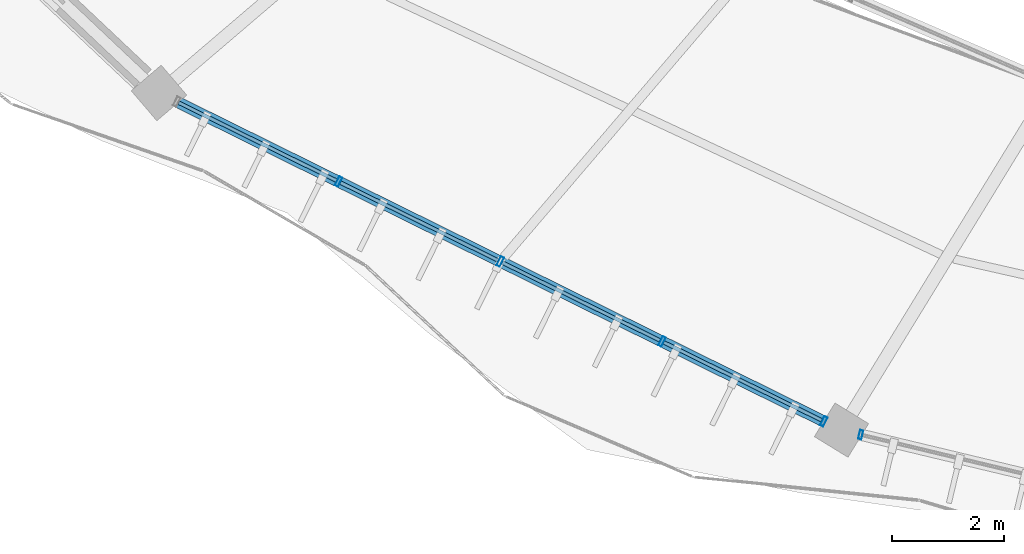
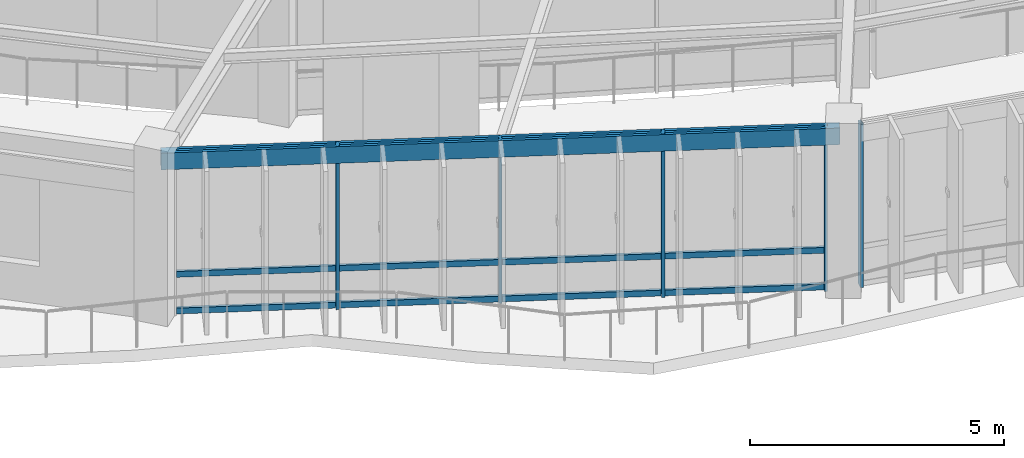
# One storey, part 34 of 138: 17 members, 1 beam, 2 elements without a shape of their own.
"""IFC4 building model written with IfcOpenShell, lengths in metres."""

from ifc_helpers import new_model, si_unit, direction, frame, origin, origin_2d, place, context, subcontext, project, spatial, hollow_rectangle, extrude, material, material_profile, profile_set, type_object, element, aggregate, save


model = new_model("IFC4")

# Units and contexts
model_context = context("Model", 3, precision=1e-05, world=origin(), true_north=direction((0.0, 1.0)))
body_context = subcontext(model_context, "Body", "Model", "MODEL_VIEW")
ifc_project = project(units=[si_unit("LENGTHUNIT", "METRE"), si_unit("AREAUNIT", "SQUARE_METRE"), si_unit("VOLUMEUNIT", "CUBIC_METRE"), si_unit("PLANEANGLEUNIT", "RADIAN"), si_unit("MASSUNIT", "GRAM", prefix="KILO"), si_unit("THERMODYNAMICTEMPERATUREUNIT", "KELVIN"), si_unit("POWERUNIT", "WATT")], contexts=[model_context])

# Site, building, storey
site_placement = place(None, origin())
site = spatial("IfcSite", under=ifc_project, at=site_placement, CompositionType="ELEMENT")
building_placement = place(site_placement, origin())
building = spatial("IfcBuilding", under=site, at=building_placement, Name="Darbajah Civic Hall", CompositionType="ELEMENT")
storey_placement = place(building_placement, frame((0.0, 0.0, 9.60009765625)))
storey = spatial("IfcBuildingStorey", under=building, at=storey_placement, Name="L02", CompositionType="ELEMENT", Elevation=9.60009765625)

# Curtain wall, member
ifc_material_1 = material(Name="Anodised Bronze Aluminium and Low-E Glazing", Category="aluminium")
curtain_wall_type_1 = type_object("IfcCurtainWallType", Name="Unitised Curtain Wall CW-48 14500x3900", PredefinedType="USERDEFINED", material=ifc_material_1)
curtain_wall_1_placement = place(storey_placement, origin())
curtain_wall_1 = element("IfcCurtainWall", 1, at=curtain_wall_1_placement, inside=storey, type_object=curtain_wall_type_1, Name="L02 unitised curtain wall CW-V1O-L02-13", ObjectType="UNITISED CURTAIN WALL", PredefinedType="USERDEFINED")
ifc_material_2 = material(Name="Anodised Bronze Aluminium", Category="aluminium")
ifc_material_profile_1 = material_profile(ifc_material_2, hollow_rectangle(XDim=0.06005859375, YDim=0.159912109375, WallThickness=0.00341796875, at=origin_2d()), Name="ALU MULLION 60x160")
ifc_profile_set_1 = profile_set([ifc_material_profile_1], Name="Anodised Bronze Aluminium")
member_type_1 = type_object("IfcMemberType", Name="ALU MULLION 60x160", PredefinedType="MULLION", material=ifc_profile_set_1)
member_1_placement = place(storey_placement, frame((62.794921875, 64.565185546875, 0.0), z_axis=(0.0, 0.0, 1.0), x_axis=(0.972492018808, -0.232936200179, 0.0)))
member_1 = element("IfcMember", 2, at=member_1_placement, type_object=member_type_1, Name="CW-V1O-L02-13 mullion 1", PredefinedType="MULLION", context=body_context, shape_type="SweptSolid", body=[
    extrude(hollow_rectangle(XDim=0.06005859375, YDim=0.159912109375, WallThickness=0.00341796875, at=origin_2d()), origin(), (0.0, 0.0, 1.0), 3.919921875),
])
aggregate(curtain_wall_1, [member_1])

# Curtain wall, members
curtain_wall_type_2 = type_object("IfcCurtainWallType", Name="Unitised Curtain Wall CW-30 12800x3900", PredefinedType="USERDEFINED", material=ifc_material_1)
curtain_wall_2_placement = place(storey_placement, origin())
curtain_wall_2 = element("IfcCurtainWall", 3, at=curtain_wall_2_placement, inside=storey, type_object=curtain_wall_type_2, Name="L02 unitised curtain wall CW-V1O-L02-12", ObjectType="UNITISED CURTAIN WALL", PredefinedType="USERDEFINED")
ifc_material_profile_2 = material_profile(ifc_material_2, hollow_rectangle(XDim=0.06494140625, YDim=0.179931640625, WallThickness=0.00390625, at=origin_2d()), Name="ALU MULLION 65x180")
ifc_profile_set_2 = profile_set([ifc_material_profile_2], Name="Anodised Bronze Aluminium")
member_type_2 = type_object("IfcMemberType", Name="ALU MULLION 65x180", PredefinedType="MULLION", material=ifc_profile_set_2)
member_2_placement = place(storey_placement, frame((53.510498046875, 69.064697265625, 0.0), z_axis=(0.0, 0.0, 1.0), x_axis=(0.89656374724, -0.442914717678, 0.0)))
member_2 = element("IfcMember", 4, at=member_2_placement, type_object=member_type_2, Name="CW-V1O-L02-12 mullion 2", PredefinedType="MULLION", context=body_context, shape_type="SweptSolid", body=[
    extrude(hollow_rectangle(XDim=0.06494140625, YDim=0.179931640625, WallThickness=0.00390625, at=origin_2d()), origin(), (0.0, 0.0, 1.0), 3.919921875),
])
member_3_placement = place(storey_placement, frame((56.385986328125, 67.644287109375, 0.0), z_axis=(0.0, 0.0, 1.0), x_axis=(0.89656374724, -0.442914717678, 0.0)))
member_3 = element("IfcMember", 5, at=member_3_placement, type_object=member_type_2, Name="CW-V1O-L02-12 mullion 3", PredefinedType="MULLION", context=body_context, shape_type="SweptSolid", body=[
    extrude(hollow_rectangle(XDim=0.06494140625, YDim=0.179931640625, WallThickness=0.00390625, at=origin_2d()), origin(), (0.0, 0.0, 1.0), 3.919921875),
])
member_4_placement = place(storey_placement, frame((59.261474609375, 66.2236328125, 0.0), z_axis=(0.0, 0.0, 1.0), x_axis=(0.89656374724, -0.442914717678, 0.0)))
member_4 = element("IfcMember", 6, at=member_4_placement, type_object=member_type_2, Name="CW-V1O-L02-12 mullion 4", PredefinedType="MULLION", context=body_context, shape_type="SweptSolid", body=[
    extrude(hollow_rectangle(XDim=0.06494140625, YDim=0.179931640625, WallThickness=0.00390625, at=origin_2d()), origin(), (0.0, 0.0, 1.0), 3.919921875),
])
member_5_placement = place(storey_placement, frame((62.136962890625, 64.802978515625, 0.0), z_axis=(0.0, 0.0, 1.0), x_axis=(0.89656374724, -0.442914717678, 0.0)))
member_5 = element("IfcMember", 7, at=member_5_placement, type_object=member_type_2, Name="CW-V1O-L02-12 mullion 5", PredefinedType="MULLION", context=body_context, shape_type="SweptSolid", body=[
    extrude(hollow_rectangle(XDim=0.06494140625, YDim=0.179931640625, WallThickness=0.00390625, at=origin_2d()), origin(), (0.0, 0.0, 1.0), 3.919921875),
])
ifc_material_profile_3 = material_profile(ifc_material_2, hollow_rectangle(XDim=0.06494140625, YDim=0.139892578125, WallThickness=0.00341796875, at=origin_2d()), Name="ALU TRANSOM 65x140")
ifc_profile_set_3 = profile_set([ifc_material_profile_3], Name="Anodised Bronze Aluminium")
member_type_3 = type_object("IfcMemberType", Name="ALU TRANSOM 65x140", PredefinedType="USERDEFINED", material=ifc_profile_set_3)
member_6_placement = place(storey_placement, frame((50.66845703125, 70.46875, 0.06982421875), z_axis=(0.896552569774, -0.442937342782, 0.0), x_axis=(0.442937342782, 0.896552569774, 0.0)))
member_6 = element("IfcMember", 8, at=member_6_placement, type_object=member_type_3, Name="CW-V1O-L02-12 transom 1.1", ObjectType="TRANSOM", PredefinedType="USERDEFINED", context=body_context, shape_type="SweptSolid", body=[
    extrude(hollow_rectangle(XDim=0.06494140625, YDim=0.139892578125, WallThickness=0.00341796875, at=origin_2d()), origin(), (0.0, 0.0, 1.0), 3.13232421875),
])
member_7_placement = place(storey_placement, frame((50.66845703125, 70.46875, 0.949951171875), z_axis=(0.896552569774, -0.442937342782, 0.0), x_axis=(0.442937342782, 0.896552569774, 0.0)))
member_7 = element("IfcMember", 9, at=member_7_placement, type_object=member_type_3, Name="CW-V1O-L02-12 transom 1.2", ObjectType="TRANSOM", PredefinedType="USERDEFINED", context=body_context, shape_type="SweptSolid", body=[
    extrude(hollow_rectangle(XDim=0.06494140625, YDim=0.139892578125, WallThickness=0.00341796875, at=origin_2d()), origin(), (0.0, 0.0, 1.0), 3.13232421875),
])
member_8_placement = place(storey_placement, frame((50.66845703125, 70.46875, 3.849853515625), z_axis=(0.896552569774, -0.442937342782, 0.0), x_axis=(0.442937342782, 0.896552569774, 0.0)))
member_8 = element("IfcMember", 10, at=member_8_placement, type_object=member_type_3, Name="CW-V1O-L02-12 transom 1.3", ObjectType="TRANSOM", PredefinedType="USERDEFINED", context=body_context, shape_type="SweptSolid", body=[
    extrude(hollow_rectangle(XDim=0.06494140625, YDim=0.139892578125, WallThickness=0.00341796875, at=origin_2d()), origin(), (0.0, 0.0, 1.0), 3.13232421875),
])
member_9_placement = place(storey_placement, frame((53.5439453125, 69.048095703125, 0.06982421875), z_axis=(0.896583520225, -0.442874690247, 0.0), x_axis=(0.442874690247, 0.896583520225, 0.0)))
member_9 = element("IfcMember", 11, at=member_9_placement, type_object=member_type_3, Name="CW-V1O-L02-12 transom 2.1", ObjectType="TRANSOM", PredefinedType="USERDEFINED", context=body_context, shape_type="SweptSolid", body=[
    extrude(hollow_rectangle(XDim=0.06494140625, YDim=0.139892578125, WallThickness=0.00341796875, at=origin_2d()), origin(), (0.0, 0.0, 1.0), 3.13232421875),
])
member_10_placement = place(storey_placement, frame((53.5439453125, 69.048095703125, 0.949951171875), z_axis=(0.896583520225, -0.442874690247, 0.0), x_axis=(0.442874690247, 0.896583520225, 0.0)))
member_10 = element("IfcMember", 12, at=member_10_placement, type_object=member_type_3, Name="CW-V1O-L02-12 transom 2.2", ObjectType="TRANSOM", PredefinedType="USERDEFINED", context=body_context, shape_type="SweptSolid", body=[
    extrude(hollow_rectangle(XDim=0.06494140625, YDim=0.139892578125, WallThickness=0.00341796875, at=origin_2d()), origin(), (0.0, 0.0, 1.0), 3.13232421875),
])
member_11_placement = place(storey_placement, frame((53.5439453125, 69.048095703125, 3.849853515625), z_axis=(0.896583520225, -0.442874690247, 0.0), x_axis=(0.442874690247, 0.896583520225, 0.0)))
member_11 = element("IfcMember", 13, at=member_11_placement, type_object=member_type_3, Name="CW-V1O-L02-12 transom 2.3", ObjectType="TRANSOM", PredefinedType="USERDEFINED", context=body_context, shape_type="SweptSolid", body=[
    extrude(hollow_rectangle(XDim=0.06494140625, YDim=0.139892578125, WallThickness=0.00341796875, at=origin_2d()), origin(), (0.0, 0.0, 1.0), 3.13232421875),
])
member_12_placement = place(storey_placement, frame((56.419677734375, 67.627685546875, 0.06982421875), z_axis=(0.896537276701, -0.442968296252, 0.0), x_axis=(0.442968296252, 0.896537276701, 0.0)))
member_12 = element("IfcMember", 14, at=member_12_placement, type_object=member_type_3, Name="CW-V1O-L02-12 transom 3.1", ObjectType="TRANSOM", PredefinedType="USERDEFINED", context=body_context, shape_type="SweptSolid", body=[
    extrude(hollow_rectangle(XDim=0.06494140625, YDim=0.139892578125, WallThickness=0.00341796875, at=origin_2d()), origin(), (0.0, 0.0, 1.0), 3.132080078125),
])
member_13_placement = place(storey_placement, frame((56.419677734375, 67.627685546875, 0.949951171875), z_axis=(0.896537276701, -0.442968296252, 0.0), x_axis=(0.442968296252, 0.896537276701, 0.0)))
member_13 = element("IfcMember", 15, at=member_13_placement, type_object=member_type_3, Name="CW-V1O-L02-12 transom 3.2", ObjectType="TRANSOM", PredefinedType="USERDEFINED", context=body_context, shape_type="SweptSolid", body=[
    extrude(hollow_rectangle(XDim=0.06494140625, YDim=0.139892578125, WallThickness=0.00341796875, at=origin_2d()), origin(), (0.0, 0.0, 1.0), 3.132080078125),
])
member_14_placement = place(storey_placement, frame((56.419677734375, 67.627685546875, 3.849853515625), z_axis=(0.896537276701, -0.442968296252, 0.0), x_axis=(0.442968296252, 0.896537276701, 0.0)))
member_14 = element("IfcMember", 16, at=member_14_placement, type_object=member_type_3, Name="CW-V1O-L02-12 transom 3.3", ObjectType="TRANSOM", PredefinedType="USERDEFINED", context=body_context, shape_type="SweptSolid", body=[
    extrude(hollow_rectangle(XDim=0.06494140625, YDim=0.139892578125, WallThickness=0.00341796875, at=origin_2d()), origin(), (0.0, 0.0, 1.0), 3.132080078125),
])
member_15_placement = place(storey_placement, frame((59.295166015625, 66.20703125, 0.06982421875), z_axis=(0.896552569774, -0.442937342782, 0.0), x_axis=(0.442937342782, 0.896552569774, 0.0)))
member_15 = element("IfcMember", 17, at=member_15_placement, type_object=member_type_3, Name="CW-V1O-L02-12 transom 4.1", ObjectType="TRANSOM", PredefinedType="USERDEFINED", context=body_context, shape_type="SweptSolid", body=[
    extrude(hollow_rectangle(XDim=0.06494140625, YDim=0.139892578125, WallThickness=0.00341796875, at=origin_2d()), origin(), (0.0, 0.0, 1.0), 3.13232421875),
])
member_16_placement = place(storey_placement, frame((59.295166015625, 66.20703125, 0.949951171875), z_axis=(0.896552569774, -0.442937342782, 0.0), x_axis=(0.442937342782, 0.896552569774, 0.0)))
member_16 = element("IfcMember", 18, at=member_16_placement, type_object=member_type_3, Name="CW-V1O-L02-12 transom 4.2", ObjectType="TRANSOM", PredefinedType="USERDEFINED", context=body_context, shape_type="SweptSolid", body=[
    extrude(hollow_rectangle(XDim=0.06494140625, YDim=0.139892578125, WallThickness=0.00341796875, at=origin_2d()), origin(), (0.0, 0.0, 1.0), 3.13232421875),
])
member_17_placement = place(storey_placement, frame((59.295166015625, 66.20703125, 3.849853515625), z_axis=(0.896552569774, -0.442937342782, 0.0), x_axis=(0.442937342782, 0.896552569774, 0.0)))
member_17 = element("IfcMember", 19, at=member_17_placement, type_object=member_type_3, Name="CW-V1O-L02-12 transom 4.3", ObjectType="TRANSOM", PredefinedType="USERDEFINED", context=body_context, shape_type="SweptSolid", body=[
    extrude(hollow_rectangle(XDim=0.06494140625, YDim=0.139892578125, WallThickness=0.00341796875, at=origin_2d()), origin(), (0.0, 0.0, 1.0), 3.13232421875),
])
aggregate(curtain_wall_2, [member_2, member_3, member_4, member_5, member_6, member_7, member_8, member_9, member_10, member_11, member_12, member_13, member_14, member_15, member_16, member_17])

# Beam
ifc_material_3 = material(Name="Steel S355JR", Category="steel")
ifc_material_profile_4 = material_profile(ifc_material_3, hollow_rectangle(XDim=0.199951171875, YDim=0.39990234375, WallThickness=0.013916015625, at=origin_2d()), Name="RHS 400x200x14")
ifc_profile_set_4 = profile_set([ifc_material_profile_4], Name="Steel S355JR")
beam_type = type_object("IfcBeamType", Name="RHS 400x200x14", PredefinedType="SPANDREL", material=ifc_profile_set_4)
beam_placement = place(storey_placement, frame((50.39111328125, 70.60595703125, 3.719970703125), z_axis=(0.896556568061, -0.442929249731, 0.0), x_axis=(0.442929249731, 0.896556568061, 0.0)))
element("IfcBeam", 20, at=beam_placement, inside=storey, type_object=beam_type, Name="L02 beam SP-RHS400", PredefinedType="SPANDREL", context=body_context, shape_type="SweptSolid", body=[
    extrude(hollow_rectangle(XDim=0.199951171875, YDim=0.39990234375, WallThickness=0.013916015625, at=origin_2d()), origin(), (0.0, 0.0, 1.0), 13.373046875),
])

save(model, "model.ifc")
